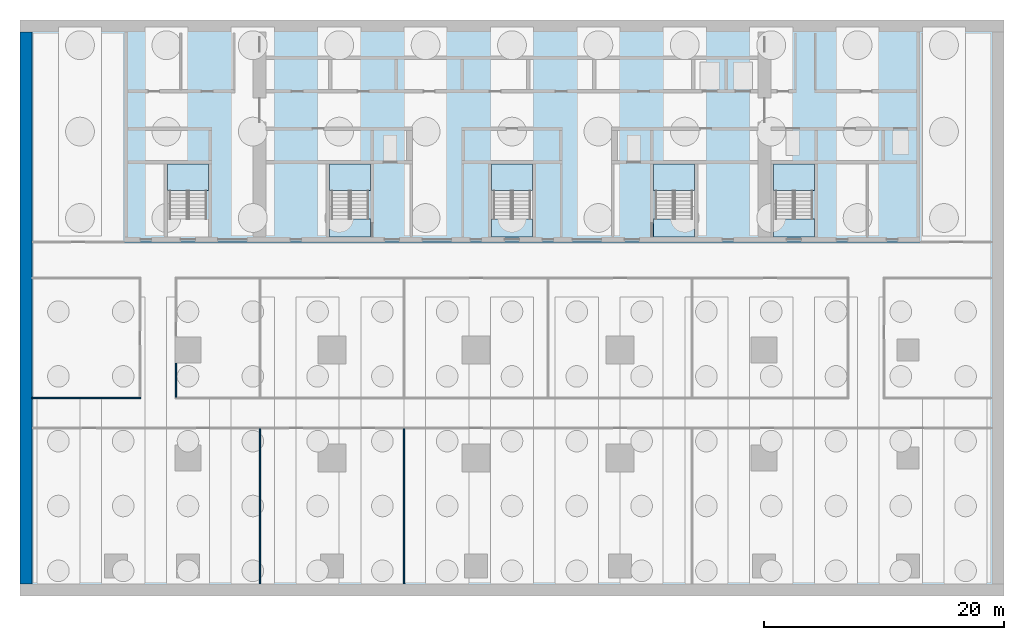
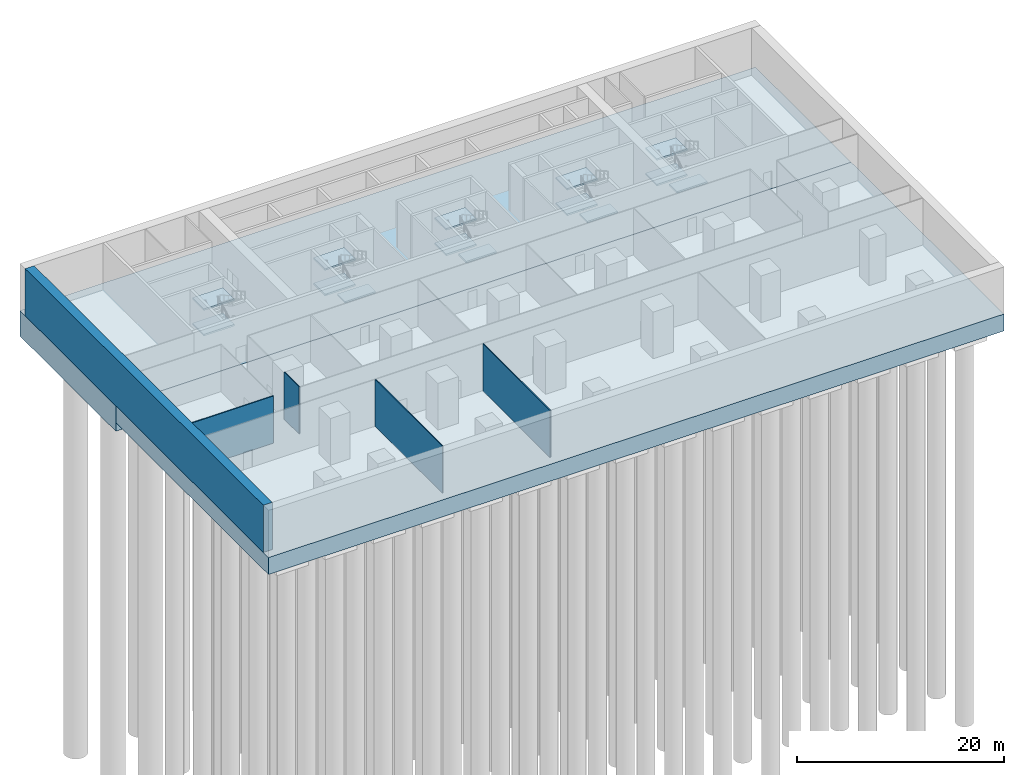
# One storey, part 2 of 11: 16 slabs, 5 walls, 5 elements without a shape of their own.
"""IFC4 building model written with IfcOpenShell, lengths in metres."""

from ifc_helpers import new_model, si_unit, direction, frame, frame_2d, origin, place, context, subcontext, project, spatial, polyline, rectangle, outline, extrude, material, layer, layer_set, type_object, element, aggregate, save


model = new_model("IFC4")

# Units and contexts
model_context = context("Model", 3, precision=1e-05, world=origin(), true_north=direction((0.0, 1.0)))
body_context = subcontext(model_context, "Body", "Model", "MODEL_VIEW")
ifc_project = project(units=[si_unit("LENGTHUNIT", "METRE"), si_unit("AREAUNIT", "SQUARE_METRE"), si_unit("VOLUMEUNIT", "CUBIC_METRE"), si_unit("PLANEANGLEUNIT", "RADIAN"), si_unit("MASSUNIT", "GRAM", prefix="KILO")], contexts=[model_context])

# Site, building, storey
site_placement = place(None, origin())
site = spatial("IfcSite", under=ifc_project, at=site_placement, CompositionType="ELEMENT")
building_placement = place(site_placement, origin())
building = spatial("IfcBuilding", under=site, at=building_placement, Name="Calvaro Tower", CompositionType="ELEMENT")
storey_placement = place(building_placement, frame((0.0, 0.0, -12.0)))
storey = spatial("IfcBuildingStorey", under=building, at=storey_placement, Name="B2", CompositionType="ELEMENT", Elevation=-12.0)

# Slabs
ifc_material_1 = material(Name="Concrete C32/40", Category="concrete")
ifc_layer_1 = layer(ifc_material_1, 2.0)
ifc_layer_set_1 = layer_set([ifc_layer_1], Name="Concrete C32/40")
slab_type_1 = type_object("IfcSlabType", Name="Raft 2000 C32/40", PredefinedType="BASESLAB", material=ifc_layer_set_1)
slab_1_placement = place(storey_placement, frame((0.0, 0.0, -2.0)))
element("IfcSlab", 1, at=slab_1_placement, inside=storey, type_object=slab_type_1, Name="Raft", PredefinedType="BASESLAB", context=body_context, shape_type="SweptSolid", body=[
    extrude(outline(polyline([(-2.0, -1.5), (80.0, -1.5), (80.0, 28.0), (-2.0, 28.0), (-2.0, -1.5)])), origin(), (0.0, 0.0, 1.0), 2.0),
])
ifc_material_2 = material(Name="Concrete C32/40", Category="concrete")
ifc_layer_2 = layer(ifc_material_2, 3.0)
ifc_layer_set_2 = layer_set([ifc_layer_2], Name="Concrete C32/40")
slab_type_2 = type_object("IfcSlabType", Name="Raft 3000 C32/40", PredefinedType="BASESLAB", material=ifc_layer_set_2)
slab_2_placement = place(storey_placement, frame((0.0, 0.0, -3.0)))
element("IfcSlab", 2, at=slab_2_placement, inside=storey, type_object=slab_type_2, Name="Core raft", PredefinedType="BASESLAB", context=body_context, shape_type="SweptSolid", body=[
    extrude(outline(polyline([(-2.0, 28.0), (80.0, 28.0), (80.0, 46.5), (-2.0, 46.5), (-2.0, 28.0)])), origin(), (0.0, 0.0, 1.0), 3.0),
])

# Stair, slabs
ifc_material_3 = material(Name="Concrete C40/50", Category="concrete")
stair_type = type_object("IfcStairType", Name="Exit stair 1400 4 flights", PredefinedType="DOUBLE_RETURN_STAIR", material=ifc_material_3)
stair_1_placement = place(storey_placement, origin())
stair_1 = element("IfcStair", 3, at=stair_1_placement, inside=storey, type_object=stair_type, Name="Exit stair S1", PredefinedType="DOUBLE_RETURN_STAIR")
ifc_material_4 = material(Name="Concrete C40/50", Category="concrete")
ifc_layer_3 = layer(ifc_material_4, 0.199951171875)
ifc_layer_set_3 = layer_set([ifc_layer_3], Name="Concrete C40/50")
slab_type_3 = type_object("IfcSlabType", Name="Stair landing", PredefinedType="LANDING", material=ifc_layer_set_3)
slab_3_placement = place(storey_placement, frame((0.0, 0.0, 1.300048828125)))
slab_3 = element("IfcSlab", 4, at=slab_3_placement, type_object=slab_type_3, Name="Exit stair 1, landing 1", PredefinedType="LANDING", context=body_context, shape_type="SweptSolid", body=[
    extrude(outline(polyline([(11.89990234375, 32.2900390625), (10.5, 32.2900390625), (10.5, 32.300048828125), (10.300048828125, 32.300048828125), (10.300048828125, 34.5), (10.5, 34.5), (11.89990234375, 34.5), (12.10009765625, 34.5), (13.5, 34.5), (13.699951171875, 34.5), (13.699951171875, 32.300048828125), (13.5, 32.300048828125), (13.5, 32.2900390625), (12.10009765625, 32.2900390625), (12.10009765625, 32.300048828125), (11.89990234375, 32.300048828125), (11.89990234375, 32.2900390625)])), origin(), (0.0, 0.0, 1.0), 0.199951171875),
])
slab_4_placement = place(storey_placement, frame((0.0, 0.0, 4.300048828125)))
slab_4 = element("IfcSlab", 5, at=slab_4_placement, type_object=slab_type_3, Name="Exit stair 1, landing 3", PredefinedType="LANDING", context=body_context, shape_type="SweptSolid", body=[
    extrude(outline(polyline([(11.89990234375, 32.2900390625), (10.5, 32.2900390625), (10.5, 32.300048828125), (10.300048828125, 32.300048828125), (10.300048828125, 34.5), (10.5, 34.5), (11.89990234375, 34.5), (12.10009765625, 34.5), (13.5, 34.5), (13.699951171875, 34.5), (13.699951171875, 32.300048828125), (13.5, 32.300048828125), (13.5, 32.2900390625), (12.10009765625, 32.2900390625), (12.10009765625, 32.300048828125), (11.89990234375, 32.300048828125), (11.89990234375, 32.2900390625)])), origin(), (0.0, 0.0, 1.0), 0.199951171875),
])
aggregate(stair_1, [slab_3, slab_4])

stair_2_placement = place(storey_placement, origin())
stair_2 = element("IfcStair", 6, at=stair_2_placement, inside=storey, type_object=stair_type, Name="Exit stair S2", PredefinedType="DOUBLE_RETURN_STAIR")
slab_5_placement = place(storey_placement, frame((0.0, 0.0, 1.300048828125)))
slab_5 = element("IfcSlab", 7, at=slab_5_placement, type_object=slab_type_3, Name="Exit stair 2, landing 1", PredefinedType="LANDING", context=body_context, shape_type="SweptSolid", body=[
    extrude(outline(polyline([(25.39990234375, 32.2900390625), (24.0, 32.2900390625), (24.0, 32.300048828125), (23.800048828125, 32.300048828125), (23.800048828125, 34.5), (24.0, 34.5), (25.39990234375, 34.5), (25.60009765625, 34.5), (27.0, 34.5), (27.199951171875, 34.5), (27.199951171875, 32.300048828125), (27.0, 32.300048828125), (27.0, 32.2900390625), (25.60009765625, 32.2900390625), (25.60009765625, 32.300048828125), (25.39990234375, 32.300048828125), (25.39990234375, 32.2900390625)])), origin(), (0.0, 0.0, 1.0), 0.199951171875),
])
slab_6_placement = place(storey_placement, frame((0.0, 0.0, 2.800048828125)))
slab_6 = element("IfcSlab", 8, at=slab_6_placement, type_object=slab_type_3, Name="Exit stair 2, landing 2", PredefinedType="LANDING", context=body_context, shape_type="SweptSolid", body=[
    extrude(outline(polyline([(27.199951171875, 29.909912109375), (27.199951171875, 28.39990234375), (23.800048828125, 28.39990234375), (23.800048828125, 29.909912109375), (24.0, 29.909912109375), (25.39990234375, 29.909912109375), (27.199951171875, 29.909912109375)])), origin(), (0.0, 0.0, 1.0), 0.199951171875),
])
slab_7_placement = place(storey_placement, frame((0.0, 0.0, 4.300048828125)))
slab_7 = element("IfcSlab", 9, at=slab_7_placement, type_object=slab_type_3, Name="Exit stair 2, landing 3", PredefinedType="LANDING", context=body_context, shape_type="SweptSolid", body=[
    extrude(outline(polyline([(25.39990234375, 32.2900390625), (24.0, 32.2900390625), (24.0, 32.300048828125), (23.800048828125, 32.300048828125), (23.800048828125, 34.5), (24.0, 34.5), (25.39990234375, 34.5), (25.60009765625, 34.5), (27.0, 34.5), (27.199951171875, 34.5), (27.199951171875, 32.300048828125), (27.0, 32.300048828125), (27.0, 32.2900390625), (25.60009765625, 32.2900390625), (25.60009765625, 32.300048828125), (25.39990234375, 32.300048828125), (25.39990234375, 32.2900390625)])), origin(), (0.0, 0.0, 1.0), 0.199951171875),
])
aggregate(stair_2, [slab_5, slab_6, slab_7])

stair_3_placement = place(storey_placement, origin())
stair_3 = element("IfcStair", 10, at=stair_3_placement, inside=storey, type_object=stair_type, Name="Exit stair S3", PredefinedType="DOUBLE_RETURN_STAIR")
slab_8_placement = place(storey_placement, frame((0.0, 0.0, 1.300048828125)))
slab_8 = element("IfcSlab", 11, at=slab_8_placement, type_object=slab_type_3, Name="Exit stair 3, landing 1", PredefinedType="LANDING", context=body_context, shape_type="SweptSolid", body=[
    extrude(outline(polyline([(38.89990234375, 32.2900390625), (37.5, 32.2900390625), (37.5, 32.300048828125), (37.300048828125, 32.300048828125), (37.300048828125, 34.5), (37.5, 34.5), (38.89990234375, 34.5), (39.10009765625, 34.5), (40.5, 34.5), (40.699951171875, 34.5), (40.699951171875, 32.300048828125), (40.5, 32.300048828125), (40.5, 32.2900390625), (39.10009765625, 32.2900390625), (39.10009765625, 32.300048828125), (38.89990234375, 32.300048828125), (38.89990234375, 32.2900390625)])), origin(), (0.0, 0.0, 1.0), 0.199951171875),
])
slab_9_placement = place(storey_placement, frame((0.0, 0.0, 2.800048828125)))
slab_9 = element("IfcSlab", 12, at=slab_9_placement, type_object=slab_type_3, Name="Exit stair 3, landing 2", PredefinedType="LANDING", context=body_context, shape_type="SweptSolid", body=[
    extrude(outline(polyline([(40.699951171875, 29.909912109375), (40.699951171875, 28.39990234375), (37.300048828125, 28.39990234375), (37.300048828125, 29.909912109375), (37.5, 29.909912109375), (38.89990234375, 29.909912109375), (40.699951171875, 29.909912109375)])), origin(), (0.0, 0.0, 1.0), 0.199951171875),
])
slab_10_placement = place(storey_placement, frame((0.0, 0.0, 4.300048828125)))
slab_10 = element("IfcSlab", 13, at=slab_10_placement, type_object=slab_type_3, Name="Exit stair 3, landing 3", PredefinedType="LANDING", context=body_context, shape_type="SweptSolid", body=[
    extrude(outline(polyline([(38.89990234375, 32.2900390625), (37.5, 32.2900390625), (37.5, 32.300048828125), (37.300048828125, 32.300048828125), (37.300048828125, 34.5), (37.5, 34.5), (38.89990234375, 34.5), (39.10009765625, 34.5), (40.5, 34.5), (40.699951171875, 34.5), (40.699951171875, 32.300048828125), (40.5, 32.300048828125), (40.5, 32.2900390625), (39.10009765625, 32.2900390625), (39.10009765625, 32.300048828125), (38.89990234375, 32.300048828125), (38.89990234375, 32.2900390625)])), origin(), (0.0, 0.0, 1.0), 0.199951171875),
])
aggregate(stair_3, [slab_8, slab_9, slab_10])

stair_4_placement = place(storey_placement, origin())
stair_4 = element("IfcStair", 14, at=stair_4_placement, inside=storey, type_object=stair_type, Name="Exit stair S4", PredefinedType="DOUBLE_RETURN_STAIR")
slab_11_placement = place(storey_placement, frame((0.0, 0.0, 1.300048828125)))
slab_11 = element("IfcSlab", 15, at=slab_11_placement, type_object=slab_type_3, Name="Exit stair 4, landing 1", PredefinedType="LANDING", context=body_context, shape_type="SweptSolid", body=[
    extrude(outline(polyline([(52.39990234375, 32.2900390625), (51.0, 32.2900390625), (51.0, 32.300048828125), (50.800048828125, 32.300048828125), (50.800048828125, 34.5), (51.0, 34.5), (52.39990234375, 34.5), (52.60009765625, 34.5), (54.0, 34.5), (54.199951171875, 34.5), (54.199951171875, 32.300048828125), (54.0, 32.300048828125), (54.0, 32.2900390625), (52.60009765625, 32.2900390625), (52.60009765625, 32.300048828125), (52.39990234375, 32.300048828125), (52.39990234375, 32.2900390625)])), origin(), (0.0, 0.0, 1.0), 0.199951171875),
])
slab_12_placement = place(storey_placement, frame((0.0, 0.0, 2.800048828125)))
slab_12 = element("IfcSlab", 16, at=slab_12_placement, type_object=slab_type_3, Name="Exit stair 4, landing 2", PredefinedType="LANDING", context=body_context, shape_type="SweptSolid", body=[
    extrude(outline(polyline([(54.199951171875, 29.909912109375), (54.199951171875, 28.39990234375), (50.800048828125, 28.39990234375), (50.800048828125, 29.909912109375), (51.0, 29.909912109375), (52.39990234375, 29.909912109375), (54.199951171875, 29.909912109375)])), origin(), (0.0, 0.0, 1.0), 0.199951171875),
])
slab_13_placement = place(storey_placement, frame((0.0, 0.0, 4.300048828125)))
slab_13 = element("IfcSlab", 17, at=slab_13_placement, type_object=slab_type_3, Name="Exit stair 4, landing 3", PredefinedType="LANDING", context=body_context, shape_type="SweptSolid", body=[
    extrude(outline(polyline([(52.39990234375, 32.2900390625), (51.0, 32.2900390625), (51.0, 32.300048828125), (50.800048828125, 32.300048828125), (50.800048828125, 34.5), (51.0, 34.5), (52.39990234375, 34.5), (52.60009765625, 34.5), (54.0, 34.5), (54.199951171875, 34.5), (54.199951171875, 32.300048828125), (54.0, 32.300048828125), (54.0, 32.2900390625), (52.60009765625, 32.2900390625), (52.60009765625, 32.300048828125), (52.39990234375, 32.300048828125), (52.39990234375, 32.2900390625)])), origin(), (0.0, 0.0, 1.0), 0.199951171875),
])
aggregate(stair_4, [slab_11, slab_12, slab_13])

stair_5_placement = place(storey_placement, origin())
stair_5 = element("IfcStair", 18, at=stair_5_placement, inside=storey, type_object=stair_type, Name="Exit stair S5", PredefinedType="DOUBLE_RETURN_STAIR")
slab_14_placement = place(storey_placement, frame((0.0, 0.0, 1.300048828125)))
slab_14 = element("IfcSlab", 19, at=slab_14_placement, type_object=slab_type_3, Name="Exit stair 5, landing 1", PredefinedType="LANDING", context=body_context, shape_type="SweptSolid", body=[
    extrude(outline(polyline([(62.39990234375, 32.2900390625), (61.0, 32.2900390625), (61.0, 32.300048828125), (60.800048828125, 32.300048828125), (60.800048828125, 34.5), (61.0, 34.5), (62.39990234375, 34.5), (62.60009765625, 34.5), (64.0, 34.5), (64.199951171875, 34.5), (64.199951171875, 32.300048828125), (64.0, 32.300048828125), (64.0, 32.2900390625), (62.60009765625, 32.2900390625), (62.60009765625, 32.300048828125), (62.39990234375, 32.300048828125), (62.39990234375, 32.2900390625)])), origin(), (0.0, 0.0, 1.0), 0.199951171875),
])
slab_15_placement = place(storey_placement, frame((0.0, 0.0, 2.800048828125)))
slab_15 = element("IfcSlab", 20, at=slab_15_placement, type_object=slab_type_3, Name="Exit stair 5, landing 2", PredefinedType="LANDING", context=body_context, shape_type="SweptSolid", body=[
    extrude(outline(polyline([(64.199951171875, 29.909912109375), (64.199951171875, 28.39990234375), (60.800048828125, 28.39990234375), (60.800048828125, 29.909912109375), (61.0, 29.909912109375), (62.39990234375, 29.909912109375), (64.199951171875, 29.909912109375)])), origin(), (0.0, 0.0, 1.0), 0.199951171875),
])
slab_16_placement = place(storey_placement, frame((0.0, 0.0, 4.300048828125)))
slab_16 = element("IfcSlab", 21, at=slab_16_placement, type_object=slab_type_3, Name="Exit stair 5, landing 3", PredefinedType="LANDING", context=body_context, shape_type="SweptSolid", body=[
    extrude(outline(polyline([(62.39990234375, 32.2900390625), (61.0, 32.2900390625), (61.0, 32.300048828125), (60.800048828125, 32.300048828125), (60.800048828125, 34.5), (61.0, 34.5), (62.39990234375, 34.5), (62.60009765625, 34.5), (64.0, 34.5), (64.199951171875, 34.5), (64.199951171875, 32.300048828125), (64.0, 32.300048828125), (64.0, 32.2900390625), (62.60009765625, 32.2900390625), (62.60009765625, 32.300048828125), (62.39990234375, 32.300048828125), (62.39990234375, 32.2900390625)])), origin(), (0.0, 0.0, 1.0), 0.199951171875),
])
aggregate(stair_5, [slab_14, slab_15, slab_16])

# Walls
ifc_material_5 = material(Name="Plasterboard on steel studs", Category="steel")
ifc_layer_4 = layer(ifc_material_5, 0.10009765625)
ifc_layer_set_4 = layer_set([ifc_layer_4], Name="Plasterboard on steel studs")
wall_type_1 = type_object("IfcWallType", Name="Partition 100 EI 60", PredefinedType="PARTITIONING", material=ifc_layer_set_4)
wall_1_placement = place(storey_placement, frame((-1.0, 15.0, 0.0), z_axis=(0.0, 0.0, 1.0), x_axis=(1.0, 0.0, 0.0)))
element("IfcWall", 22, at=wall_1_placement, inside=storey, type_object=wall_type_1, Name="Partition T01.W002", PredefinedType="PARTITIONING", context=body_context, shape_type="SweptSolid", body=[
    extrude(rectangle(XDim=9.050048828125, YDim=0.10009765625, at=frame_2d((4.52490234375, 0.0))), origin(), (0.0, 0.0, 1.0), 5.550048828125),
])
ifc_material_6 = material(Name="Plasterboard on steel studs", Category="steel")
ifc_layer_5 = layer(ifc_material_6, 0.10009765625)
ifc_layer_set_5 = layer_set([ifc_layer_5], Name="Plasterboard on steel studs")
wall_type_2 = type_object("IfcWallType", Name="Partition 100 REI 120", PredefinedType="PARTITIONING", material=ifc_layer_set_5)
wall_2_placement = place(storey_placement, frame((11.0, 15.050048828125, 0.0), z_axis=(0.0, 0.0, 1.0), x_axis=(0.0, 1.0, 0.0)))
element("IfcWall", 23, at=wall_2_placement, inside=storey, type_object=wall_type_2, Name="Partition T01.W011", PredefinedType="PARTITIONING", context=body_context, shape_type="SweptSolid", body=[
    extrude(rectangle(XDim=2.849853515625, YDim=0.10009765625, at=frame_2d((1.4248046875, 0.0))), origin(), (0.0, 0.0, 1.0), 5.550048828125),
])
for number, where, z_axis, x_axis, name in (
    (24, (18.0, -0.5, 0.0), (0.0, 0.0, 1.0), (0.0, 1.0, 0.0), "Partition T01.W013"),
    (25, (30.0, -0.5, 0.0), (0.0, 0.0, 1.0), (0.0, 1.0, 0.0), "Partition T01.W015"),
):
    element("IfcWall", number, at=place(storey_placement, frame(where, z_axis=z_axis, x_axis=x_axis)), inside=storey, type_object=wall_type_2, Name=name, PredefinedType="PARTITIONING", context=body_context, shape_type="SweptSolid", body=[
        extrude(rectangle(XDim=12.949951171875, YDim=0.10009765625, at=frame_2d((6.47509765625, 0.0))), origin(), (0.0, 0.0, 1.0), 5.550048828125),
    ])
ifc_material_7 = material(Name="Concrete C32/40", Category="concrete")
ifc_layer_6 = layer(ifc_material_7, 1.0)
ifc_layer_set_6 = layer_set([ifc_layer_6], Name="Concrete C32/40")
wall_type_3 = type_object("IfcWallType", Name="Retaining wall 1000 C32/40", PredefinedType="SOLIDWALL", material=ifc_layer_set_6)
wall_3_placement = place(storey_placement, frame((-1.5, -0.5, 0.0), z_axis=(0.0, 0.0, 1.0), x_axis=(0.0, 1.0, 0.0)))
element("IfcWall", 26, at=wall_3_placement, inside=storey, type_object=wall_type_3, Name="Basement wall", PredefinedType="SOLIDWALL", context=body_context, shape_type="SweptSolid", body=[
    extrude(rectangle(XDim=46.0, YDim=1.0, at=frame_2d((23.0, 0.0))), origin(), (0.0, 0.0, 1.0), 5.550048828125),
])

save(model, "model.ifc")
